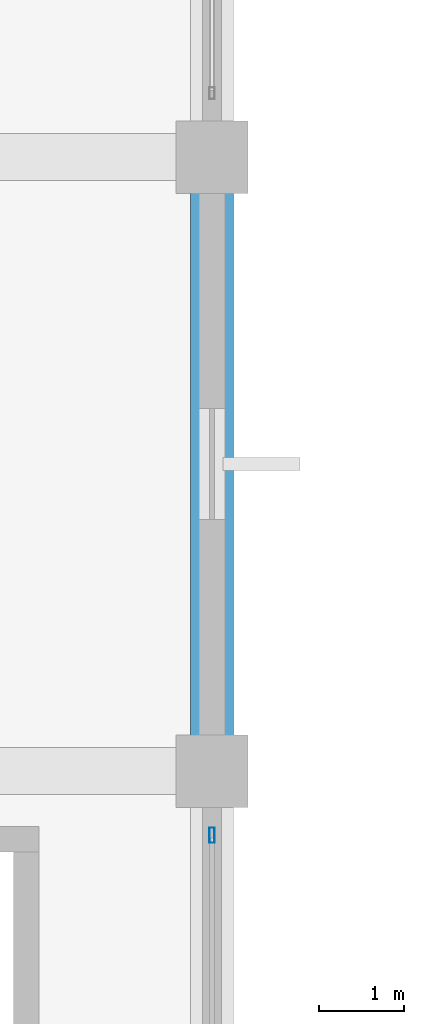
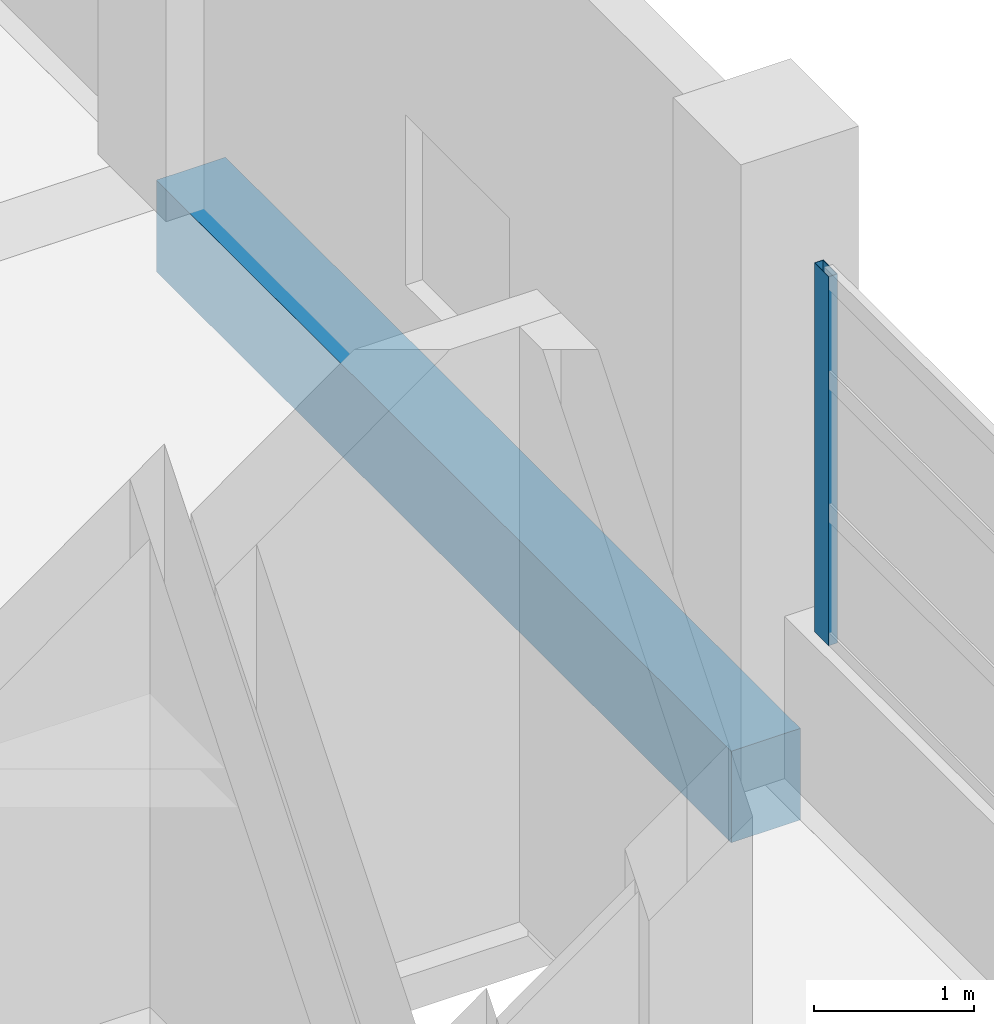
# One storey, part 26 of 181: 1 beam, 1 member, 1 element without a shape of its own.
"""IFC4 building model written with IfcOpenShell, lengths in metres."""

from ifc_helpers import new_model, si_unit, direction, frame, origin, origin_2d, place, context, subcontext, project, spatial, rectangle, hollow_rectangle, extrude, material, layer, layer_set, material_profile, profile_set, type_object, element, aggregate, save


model = new_model("IFC4")

# Units and contexts
model_context = context("Model", 3, precision=1e-05, world=origin(), true_north=direction((0.0, 1.0)))
body_context = subcontext(model_context, "Body", "Model", "MODEL_VIEW")
ifc_project = project(units=[si_unit("LENGTHUNIT", "METRE"), si_unit("AREAUNIT", "SQUARE_METRE"), si_unit("VOLUMEUNIT", "CUBIC_METRE"), si_unit("PLANEANGLEUNIT", "RADIAN"), si_unit("MASSUNIT", "GRAM", prefix="KILO")], contexts=[model_context])

# Site, building, storey
site_placement = place(None, origin())
site = spatial("IfcSite", under=ifc_project, at=site_placement, CompositionType="ELEMENT")
building_placement = place(site_placement, origin())
building = spatial("IfcBuilding", under=site, at=building_placement, Name="Seraya Terrace Polytechnic", CompositionType="ELEMENT")
storey_placement = place(building_placement, frame((0.0, 0.0, 4.800048828125)))
storey = spatial("IfcBuildingStorey", under=building, at=storey_placement, Name="L01", CompositionType="ELEMENT", Elevation=4.800048828125)

# Beam
ifc_material_1 = material(Name="Concrete C40/50", Category="concrete")
ifc_material_profile_1 = material_profile(ifc_material_1, rectangle(XDim=0.5, YDim=0.699951171875, at=origin_2d()), Name="RC 500x700")
ifc_profile_set_1 = profile_set([ifc_material_profile_1], Name="Concrete C40/50")
beam_type = type_object("IfcBeamType", Name="BM-07", PredefinedType="BEAM", material=ifc_profile_set_1)
beam_placement = place(storey_placement, frame((43.199951171875, 43.199951171875, -0.35009765625), z_axis=(0.0, 1.0, 0.0), x_axis=(-1.0, 0.0, 0.0)))
element("IfcBeam", 1, at=beam_placement, inside=storey, type_object=beam_type, Name="Beam BM-07 L01 Y (43.2, 43.2..50.4)", PredefinedType="BEAM", context=body_context, shape_type="SweptSolid", body=[
    extrude(rectangle(XDim=0.5, YDim=0.699951171875, at=origin_2d()), origin(), (0.0, 0.0, 1.0), 7.199951171875),
])

# Curtain wall, member
ifc_material_2 = material(Name="Anodised aluminium EN AW-6063 T6", Category="aluminium")
ifc_layer = layer(ifc_material_2, 0.179931640625, Name="CW-01")
ifc_layer_set = layer_set([ifc_layer], Name="Anodised aluminium EN AW-6063 T6")
curtain_wall_type = type_object("IfcCurtainWallType", Name="CW-01", PredefinedType="NOTDEFINED", material=ifc_layer_set)
curtain_wall_placement = place(storey_placement, origin())
curtain_wall = element("IfcCurtainWall", 2, at=curtain_wall_placement, inside=storey, type_object=curtain_wall_type, Name="Unitised curtain wall CW-01 (CW-L01-037)", PredefinedType="NOTDEFINED")
ifc_material_profile_2 = material_profile(ifc_material_2, hollow_rectangle(XDim=0.06494140625, YDim=0.179931640625, WallThickness=0.00390625, at=origin_2d()), Name="RHS 180x65x4.0")
ifc_profile_set_2 = profile_set([ifc_material_profile_2], Name="Anodised aluminium EN AW-6063 T6")
member_type = type_object("IfcMemberType", Name="CWM-01", PredefinedType="MULLION", material=ifc_profile_set_2)
member_placement = place(storey_placement, frame((43.199951171875, 42.447509765625, 1.239990234375), z_axis=(0.0, 0.0, 1.0), x_axis=(1.0, 0.0, 0.0)))
member = element("IfcMember", 3, at=member_placement, type_object=member_type, Name="CW-01 mullion 1", PredefinedType="MULLION", context=body_context, shape_type="SweptSolid", body=[
    extrude(hollow_rectangle(XDim=0.06494140625, YDim=0.179931640625, WallThickness=0.00390625, at=origin_2d()), origin(), (0.0, 0.0, 1.0), 2.820068359375),
])
aggregate(curtain_wall, [member])

save(model, "model.ifc")
